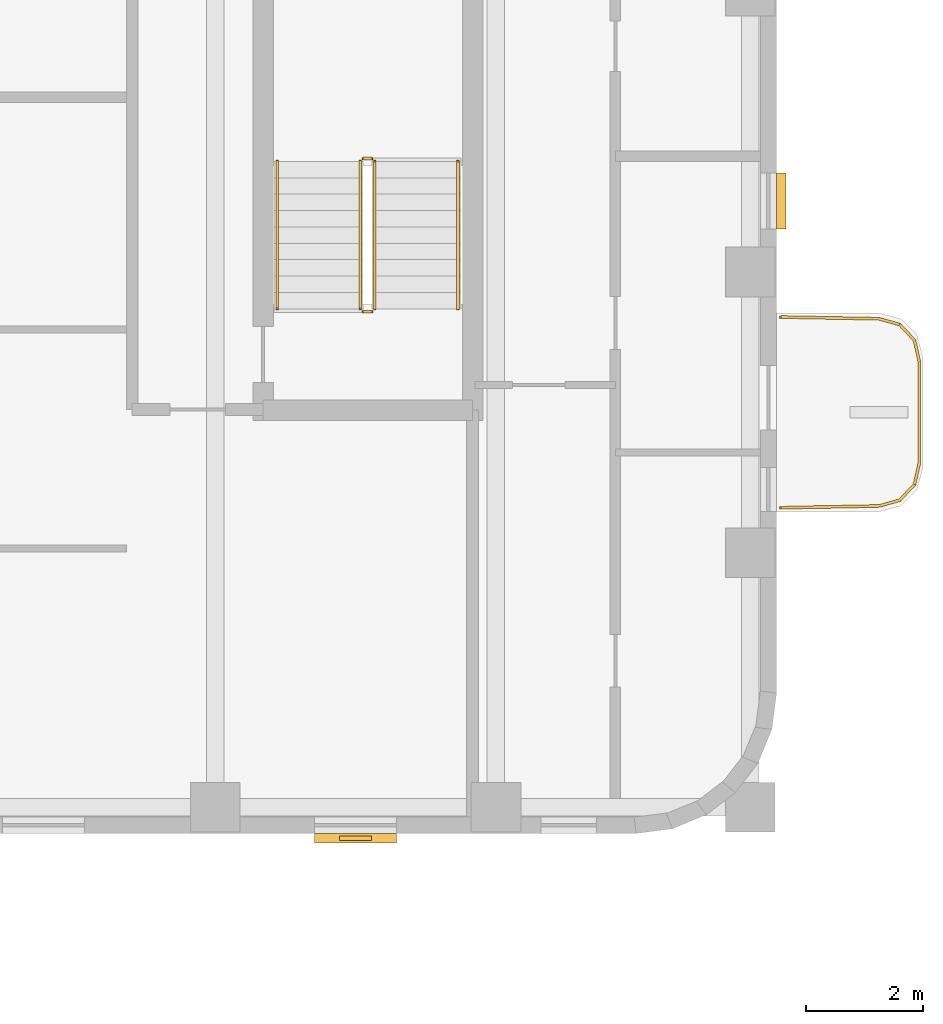
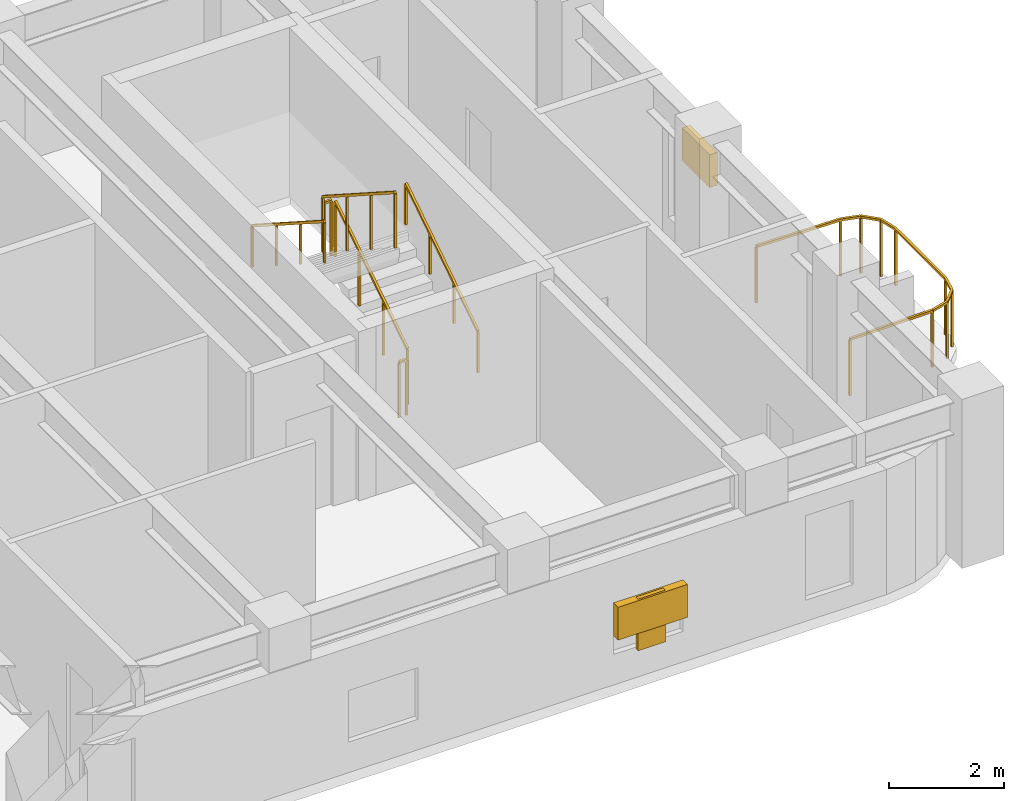
# One storey, part 9 of 10: 7 railings, 3 shading devices.
"""IFC4 building model written with IfcOpenShell, lengths in metres."""

import ifcopenshell
import ifcopenshell.guid

model = None  # the IFC model being written
_history = None  # IfcOwnerHistory: only IFC2X3 demands one
_inside = {}  # id of a spatial element -> (the spatial element, [elements in it])
_under = {}  # id of a project, library or spatial element -> (it, [spatial elements below it])
_declared = {}  # id of a project -> (the project, [libraries it declares])
_typed = {}  # id of a type object -> (the type object, [elements of that type])
_made_of = {}  # id of a material, layer set ... -> (it, [elements and type objects made of it])


def new_model(schema):
    """Start an empty IFC model of exactly this schema.

    Asked for "IFC4X3", IfcOpenShell would pick the latest addendum, in which some entities
    have other attributes; the version numbers below select the first issue.
    IFC2X3 requires an IfcOwnerHistory on every rooted entity: one is made here for all.
    """
    global model, _history
    if schema == "IFC4X3":
        model = ifcopenshell.file(schema_version=(4, 3, 0, 0))
    else:
        model = ifcopenshell.file(schema=schema)
    _inside.clear()
    _under.clear()
    _declared.clear()
    _typed.clear()
    _made_of.clear()
    _history = None
    if model.schema == "IFC2X3":
        org = make("IfcOrganization", Name="unknown")
        user = make(
            "IfcPersonAndOrganization",
            ThePerson=make("IfcPerson", FamilyName="unknown"),
            TheOrganization=org,
        )
        app = make(
            "IfcApplication",
            ApplicationDeveloper=org,
            Version="unknown",
            ApplicationFullName="unknown",
            ApplicationIdentifier="unknown",
        )
        _history = make(
            "IfcOwnerHistory",
            OwningUser=user,
            OwningApplication=app,
            ChangeAction="ADDED",
            CreationDate=0,
        )
    return model


def make(cls, **values):
    """One entity of the class cls with the attributes given. An attribute that is None is left unset."""
    return model.create_entity(
        cls, **{name: value for name, value in values.items() if value is not None}
    )


def rooted(cls, **values):
    """An entity with a GlobalId (a new one), such as an element, a storey or a relation."""
    return make(cls, GlobalId=ifcopenshell.guid.new(), OwnerHistory=_history, **values)


def si_unit(unit_type, name, prefix=None):
    """IfcSIUnit, for example si_unit("LENGTHUNIT", "METRE", prefix="MILLI")."""
    return make("IfcSIUnit", UnitType=unit_type, Prefix=prefix, Name=name)


def assignment(units):
    """IfcUnitAssignment: the units of a project."""
    return None if units is None else make("IfcUnitAssignment", Units=units)


def point(xyz):
    """IfcCartesianPoint."""
    return None if xyz is None else make("IfcCartesianPoint", Coordinates=xyz)


def direction(xyz):
    """IfcDirection."""
    return None if xyz is None else make("IfcDirection", DirectionRatios=xyz)


def frame(location, z_axis=None, x_axis=None):
    """IfcAxis2Placement3D, a coordinate frame: its origin and axes. An axis left out is left unset."""
    return make(
        "IfcAxis2Placement3D",
        Location=point(location),
        Axis=direction(z_axis),
        RefDirection=direction(x_axis),
    )


def frame_2d(location, x_axis=None):
    """IfcAxis2Placement2D, a coordinate frame in the plane: its origin and x axis."""
    return make(
        "IfcAxis2Placement2D", Location=point(location), RefDirection=direction(x_axis)
    )


def origin():
    """The frame at (0, 0, 0) with its axes left unset."""
    return frame((0.0, 0.0, 0.0))


def origin_2d():
    """The frame at (0, 0) in the plane with its x axis left unset."""
    return frame_2d((0.0, 0.0))


def place(relative_to, where):
    """IfcLocalPlacement: puts the frame where relative to a parent placement (None: the world)."""
    return make(
        "IfcLocalPlacement", PlacementRelTo=relative_to, RelativePlacement=where
    )


def context(
    kind, dimensions, precision=None, world=None, true_north=None, identifier=None
):
    """IfcGeometricRepresentationContext, for example the 3D "Model" context."""
    return make(
        "IfcGeometricRepresentationContext",
        ContextIdentifier=identifier,
        ContextType=kind,
        CoordinateSpaceDimension=dimensions,
        Precision=precision,
        WorldCoordinateSystem=world,
        TrueNorth=true_north,
    )


def subcontext(parent, identifier, kind, view, scale=None):
    """IfcGeometricRepresentationSubContext, for example "Body" below "Model"."""
    return make(
        "IfcGeometricRepresentationSubContext",
        ContextIdentifier=identifier,
        ContextType=kind,
        ParentContext=parent,
        TargetScale=scale,
        TargetView=view,
    )


def project(units=None, contexts=None):
    """IfcProject with its units and contexts."""
    return rooted(
        "IfcProject",
        Name="project",
        RepresentationContexts=contexts,
        UnitsInContext=assignment(units),
    )


def spatial(cls, under=None, at=None, **own):
    """A site, building, storey or space (cls), placed at a placement, below another one or the project."""
    s = rooted(cls, ObjectPlacement=at, **own)
    if under is not None:
        _under.setdefault(under.id(), (under, []))[1].append(s)
    return s


def profile(cls, at=None, kind="AREA", **sizes):
    """A parametric profile (cls). Its sizes go by their IFC names, for example OverallWidth=200.0."""
    return make(cls, ProfileType=kind, Position=at, **sizes)


def rectangle(**sizes):
    """IfcRectangleProfileDef."""
    return profile("IfcRectangleProfileDef", **sizes)


def extrude(swept, where, along, depth):
    """IfcExtrudedAreaSolid: the profile swept, set in the frame where, extruded along a direction by depth."""
    return make(
        "IfcExtrudedAreaSolid",
        SweptArea=swept,
        Position=where,
        ExtrudedDirection=direction(along),
        Depth=depth,
    )


def shape(context_of_items, identifier, shape_type, items):
    """IfcShapeRepresentation: the items that make up one representation, for example the "Body"."""
    return make(
        "IfcShapeRepresentation",
        ContextOfItems=context_of_items,
        RepresentationIdentifier=identifier,
        RepresentationType=shape_type,
        Items=items,
    )


def material(Name=None, Category=None):
    """IfcMaterial."""
    return make("IfcMaterial", Name=Name, Category=Category)


def made_of(thing, what):
    """Note that an element or type object is made of a material, layer set ...; save() writes the relation."""
    if what is not None:
        _made_of.setdefault(what.id(), (what, []))[1].append(thing)
    return thing


def type_object(cls, material=None, **own):
    """A type object (cls), such as IfcWallType, which elements share."""
    return made_of(rooted(cls, **own), material)


def element(
    cls,
    number,
    at=None,
    inside=None,
    cuts=None,
    type_object=None,
    material=None,
    context=None,
    identifier="Body",
    shape_type=None,
    held_by="IfcProductDefinitionShape",
    body=None,
    shapes=None,
    **own,
):
    """One element of the class cls, such as IfcWall. Its Tag is "e" and its number.

    at: its placement. inside: the storey or other place that contains it. cuts: it is an
    opening in that element (IfcRelVoidsElement). A single representation is given by context,
    identifier, shape_type and body (its items); several are given by shapes. held_by: the class
    of the entity that holds the representations. save() writes the other relations.
    """
    e = rooted(cls, Tag="e%d" % number, ObjectPlacement=at, **own)
    if body is not None:
        shapes = [shape(context, identifier, shape_type, body)]
    if shapes is not None:
        e.Representation = make(held_by, Representations=shapes)
    if inside is not None:
        _inside.setdefault(inside.id(), (inside, []))[1].append(e)
    if cuts is not None:
        rooted(
            "IfcRelVoidsElement", RelatingBuildingElement=cuts, RelatedOpeningElement=e
        )
    if type_object is not None:
        _typed.setdefault(type_object.id(), (type_object, []))[1].append(e)
    return made_of(e, material)


def aggregate(whole, parts):
    """IfcRelAggregates: a whole, such as a stair, and the parts it consists of."""
    return rooted("IfcRelAggregates", RelatingObject=whole, RelatedObjects=parts)


def save(model, path):
    """Write the relations noted so far, then the file.

    IfcRelAggregates (storeys below a building ...), IfcRelContainedInSpatialStructure (elements
    in a storey), IfcRelDefinesByType, IfcRelAssociatesMaterial and IfcRelDeclares: one each for
    every whole, place, type object, material and project.
    """
    for whole, parts in _under.values():
        aggregate(whole, parts)
    for where, things in _inside.values():
        rooted(
            "IfcRelContainedInSpatialStructure",
            RelatedElements=things,
            RelatingStructure=where,
        )
    for kind, things in _typed.values():
        rooted("IfcRelDefinesByType", RelatedObjects=things, RelatingType=kind)
    for what, things in _made_of.values():
        rooted("IfcRelAssociatesMaterial", RelatedObjects=things, RelatingMaterial=what)
    for by, libraries in _declared.values():
        rooted("IfcRelDeclares", RelatingContext=by, RelatedDefinitions=libraries)
    model.write(path)


model = new_model("IFC4")

# Units and contexts
model_context = context("Model", 3, precision=1e-05, world=origin(), true_north=direction((0.0, 1.0)))
body_context = subcontext(model_context, "Body", "Model", "MODEL_VIEW")
ifc_project = project(units=[si_unit("LENGTHUNIT", "METRE"), si_unit("AREAUNIT", "SQUARE_METRE"), si_unit("VOLUMEUNIT", "CUBIC_METRE"), si_unit("PLANEANGLEUNIT", "RADIAN"), si_unit("MASSUNIT", "GRAM", prefix="KILO")], contexts=[model_context])

# Site, building, storey
site_placement = place(None, origin())
site = spatial("IfcSite", under=ifc_project, at=site_placement, CompositionType="ELEMENT")
building_placement = place(site_placement, origin())
building = spatial("IfcBuilding", under=site, at=building_placement, Name="Orvandelia Arch Residences", CompositionType="ELEMENT")
storey_placement = place(building_placement, frame((0.0, 0.0, 232.60009765625)))
storey = spatial("IfcBuildingStorey", under=building, at=storey_placement, Name="L61", CompositionType="ELEMENT", Elevation=232.60009765625)

# Railings
ifc_material_1 = material(Name="Marine-Grade Stainless Steel 316", Category="steel")
railing_type_1 = type_object("IfcRailingType", Name="GRD-BAL-1200", PredefinedType="BALUSTRADE", material=ifc_material_1)
railing_1_placement = place(storey_placement, frame((52.871826171875, 34.36962890625, 0.0)))
element("IfcRailing", 1, at=railing_1_placement, inside=storey, type_object=railing_type_1, Name="Safety Balustrade Guard GRD-L61-BAL-L61-E1-1", PredefinedType="BALUSTRADE", context=body_context, shape_type="SweptSolid", body=[
    extrude(rectangle(XDim=0.048095703125, YDim=0.048095703125, at=origin_2d()), frame((0.0, 0.0, 1.19580078125), z_axis=(0.999837384468, 0.018033430643, 0.0), x_axis=(-0.018033430643, 0.999837384468, 0.0)), (0.0, 0.0, 1.0), 1.6787109375),
    extrude(rectangle(XDim=0.048095703125, YDim=0.048095703125, at=origin_2d()), frame((1.678466796875, 0.0302734375, 1.19580078125), z_axis=(0.96348920644, 0.267747173792, 0.0), x_axis=(-0.267747173792, 0.96348920644, 0.0)), (0.0, 0.0, 1.0), 0.36572265625),
    extrude(rectangle(XDim=0.048095703125, YDim=0.048095703125, at=origin_2d()), frame((2.03076171875, 0.128173828125, 1.19580078125), z_axis=(0.687947031175, 0.725760898848, 0.0), x_axis=(-0.725760898848, 0.687947031175, 0.0)), (0.0, 0.0, 1.0), 0.367919921875),
    extrude(rectangle(XDim=0.048095703125, YDim=0.048095703125, at=origin_2d()), frame((2.283935546875, 0.395263671875, 1.19580078125), z_axis=(0.221225034864, 0.975222786828, 0.0), x_axis=(-0.975222786828, 0.221225034864, 0.0)), (0.0, 0.0, 1.0), 0.373046875),
    extrude(rectangle(XDim=0.048095703125, YDim=0.048095703125, at=origin_2d()), frame((2.366455078125, 0.759033203125, 1.19580078125), z_axis=(0.0, 1.0, 0.0), x_axis=(-1.0, 0.0, 0.0)), (0.0, 0.0, 1.0), 1.74267578125),
    extrude(rectangle(XDim=0.048095703125, YDim=0.048095703125, at=origin_2d()), frame((2.366455078125, 2.501708984375, 1.19580078125), z_axis=(-0.221225034864, 0.975222786828, 0.0), x_axis=(-0.975222786828, -0.221225034864, 0.0)), (0.0, 0.0, 1.0), 0.373046875),
    extrude(rectangle(XDim=0.048095703125, YDim=0.048095703125, at=origin_2d()), frame((2.283935546875, 2.865478515625, 1.19580078125), z_axis=(-0.687947031175, 0.725760898848, 0.0), x_axis=(-0.725760898848, -0.687947031175, 0.0)), (0.0, 0.0, 1.0), 0.367919921875),
    extrude(rectangle(XDim=0.048095703125, YDim=0.048095703125, at=origin_2d()), frame((2.03076171875, 3.132568359375, 1.19580078125), z_axis=(-0.96348920644, 0.267747173792, 0.0), x_axis=(-0.267747173792, -0.96348920644, 0.0)), (0.0, 0.0, 1.0), 0.36572265625),
    extrude(rectangle(XDim=0.048095703125, YDim=0.048095703125, at=origin_2d()), frame((1.678466796875, 3.23046875, 1.19580078125), z_axis=(-0.999837384468, 0.018033430643, 0.0), x_axis=(-0.018033430643, -0.999837384468, 0.0)), (0.0, 0.0, 1.0), 1.6787109375),
    extrude(rectangle(XDim=0.0419921875, YDim=0.0419921875, at=origin_2d()), origin(), (0.0, 0.0, 1.0), 1.171875),
    extrude(rectangle(XDim=0.0419921875, YDim=0.0419921875, at=origin_2d()), frame((1.678466796875, 0.0302734375, 0.0)), (0.0, 0.0, 1.0), 1.171875),
    extrude(rectangle(XDim=0.0419921875, YDim=0.0419921875, at=origin_2d()), frame((2.03076171875, 0.128173828125, 0.0)), (0.0, 0.0, 1.0), 1.171875),
    extrude(rectangle(XDim=0.0419921875, YDim=0.0419921875, at=origin_2d()), frame((2.283935546875, 0.395263671875, 0.0)), (0.0, 0.0, 1.0), 1.171875),
    extrude(rectangle(XDim=0.0419921875, YDim=0.0419921875, at=origin_2d()), frame((2.366455078125, 0.759033203125, 0.0)), (0.0, 0.0, 1.0), 1.171875),
    extrude(rectangle(XDim=0.0419921875, YDim=0.0419921875, at=origin_2d()), frame((2.366455078125, 2.501708984375, 0.0)), (0.0, 0.0, 1.0), 1.171875),
    extrude(rectangle(XDim=0.0419921875, YDim=0.0419921875, at=origin_2d()), frame((2.283935546875, 2.865478515625, 0.0)), (0.0, 0.0, 1.0), 1.171875),
    extrude(rectangle(XDim=0.0419921875, YDim=0.0419921875, at=origin_2d()), frame((2.03076171875, 3.132568359375, 0.0)), (0.0, 0.0, 1.0), 1.171875),
    extrude(rectangle(XDim=0.0419921875, YDim=0.0419921875, at=origin_2d()), frame((1.678466796875, 3.23046875, 0.0)), (0.0, 0.0, 1.0), 1.171875),
    extrude(rectangle(XDim=0.0419921875, YDim=0.0419921875, at=origin_2d()), frame((0.0, 3.2607421875, 0.0)), (0.0, 0.0, 1.0), 1.171875),
])
ifc_material_2 = material(Name="Brushed Stainless Steel 304", Category="steel")
railing_type_2 = type_object("IfcRailingType", Name="RL-STAIR-GD1120", PredefinedType="GUARDRAIL", material=ifc_material_2)
railing_2_placement = place(storey_placement, frame((45.929931640625, 37.77001953125, 0.179931640625)))
element("IfcRailing", 2, at=railing_2_placement, inside=storey, type_object=railing_type_2, Name="L61 ST-3 stair guard 1", PredefinedType="GUARDRAIL", context=body_context, shape_type="SweptSolid", body=[
    extrude(rectangle(XDim=0.048095703125, YDim=0.048095703125, at=origin_2d()), frame((0.0, 0.0, 1.17578125), z_axis=(0.0, 0.841199657755, 0.540724639528), x_axis=(-1.0, 0.0, 0.0)), (0.0, 0.0, 1.0), 2.995849609375),
    extrude(rectangle(XDim=0.0419921875, YDim=0.0419921875, at=origin_2d()), origin(), (0.0, 0.0, 1.0), 1.15185546875),
    extrude(rectangle(XDim=0.0419921875, YDim=0.0419921875, at=origin_2d()), frame((0.0, 0.840087890625, 0.5400390625)), (0.0, 0.0, 1.0), 1.15185546875),
    extrude(rectangle(XDim=0.0419921875, YDim=0.0419921875, at=origin_2d()), frame((0.0, 1.679931640625, 1.079833984375)), (0.0, 0.0, 1.0), 1.15185546875),
    extrude(rectangle(XDim=0.0419921875, YDim=0.0419921875, at=origin_2d()), frame((0.0, 2.52001953125, 1.619873046875)), (0.0, 0.0, 1.0), 1.15185546875),
])
railing_3_placement = place(storey_placement, frame((45.8798828125, 40.340087890625, 1.7998046875)))
element("IfcRailing", 3, at=railing_3_placement, inside=storey, type_object=railing_type_2, Name="L61 ST-3 stair guard 2", PredefinedType="GUARDRAIL", context=body_context, shape_type="SweptSolid", body=[
    extrude(rectangle(XDim=0.048095703125, YDim=0.048095703125, at=origin_2d()), frame((0.0, 0.0, 1.17578125), z_axis=(-1.0, 0.0, 0.0), x_axis=(0.0, -1.0, 0.0)), (0.0, 0.0, 1.0), 0.14990234375),
    extrude(rectangle(XDim=0.0419921875, YDim=0.0419921875, at=origin_2d()), origin(), (0.0, 0.0, 1.0), 1.15185546875),
    extrude(rectangle(XDim=0.0419921875, YDim=0.0419921875, at=origin_2d()), frame((-0.14990234375, 0.0, 0.0)), (0.0, 0.0, 1.0), 1.15185546875),
])
railing_4_placement = place(storey_placement, frame((45.679931640625, 40.2900390625, 1.97998046875)))
element("IfcRailing", 4, at=railing_4_placement, inside=storey, type_object=railing_type_2, Name="L61 ST-3 stair guard 3", PredefinedType="GUARDRAIL", context=body_context, shape_type="SweptSolid", body=[
    extrude(rectangle(XDim=0.048095703125, YDim=0.048095703125, at=origin_2d()), frame((0.0, 0.0, 1.17578125), z_axis=(0.0, -0.841199657755, 0.540724639528), x_axis=(1.0, 0.0, 0.0)), (0.0, 0.0, 1.0), 2.995849609375),
    extrude(rectangle(XDim=0.0419921875, YDim=0.0419921875, at=origin_2d()), origin(), (0.0, 0.0, 1.0), 1.15185546875),
    extrude(rectangle(XDim=0.0419921875, YDim=0.0419921875, at=origin_2d()), frame((0.0, -0.840087890625, 0.5400390625)), (0.0, 0.0, 1.0), 1.15185546875),
    extrude(rectangle(XDim=0.0419921875, YDim=0.0419921875, at=origin_2d()), frame((0.0, -1.679931640625, 1.079833984375)), (0.0, 0.0, 1.0), 1.15185546875),
    extrude(rectangle(XDim=0.0419921875, YDim=0.0419921875, at=origin_2d()), frame((0.0, -2.52001953125, 1.619873046875)), (0.0, 0.0, 1.0), 1.15185546875),
])
railing_5_placement = place(storey_placement, frame((45.8798828125, 37.719970703125, 0.0)))
element("IfcRailing", 5, at=railing_5_placement, inside=storey, type_object=railing_type_2, Name="L61 ST-3 stair guard 4", PredefinedType="GUARDRAIL", context=body_context, shape_type="SweptSolid", body=[
    extrude(rectangle(XDim=0.048095703125, YDim=0.048095703125, at=origin_2d()), frame((0.0, 0.0, 1.17578125), z_axis=(-1.0, 0.0, 0.0), x_axis=(0.0, -1.0, 0.0)), (0.0, 0.0, 1.0), 0.14990234375),
    extrude(rectangle(XDim=0.0419921875, YDim=0.0419921875, at=origin_2d()), origin(), (0.0, 0.0, 1.0), 1.15185546875),
    extrude(rectangle(XDim=0.0419921875, YDim=0.0419921875, at=origin_2d()), frame((-0.14990234375, 0.0, 0.0)), (0.0, 0.0, 1.0), 1.15185546875),
])
railing_type_3 = type_object("IfcRailingType", Name="RL-STAIR-HR920", PredefinedType="HANDRAIL", material=ifc_material_2)
railing_6_placement = place(storey_placement, frame((47.35009765625, 37.77001953125, 0.35986328125)))
element("IfcRailing", 6, at=railing_6_placement, inside=storey, type_object=railing_type_3, Name="L61 ST-3 stair handrail 1", PredefinedType="HANDRAIL", context=body_context, shape_type="SweptSolid", body=[
    extrude(rectangle(XDim=0.048095703125, YDim=0.048095703125, at=origin_2d()), frame((0.0, 0.0, 0.8759765625), z_axis=(0.0, 0.841162588446, 0.540782303519), x_axis=(-1.0, 0.0, 0.0)), (0.0, 0.0, 1.0), 2.995849609375),
    extrude(rectangle(XDim=0.0419921875, YDim=0.0419921875, at=origin_2d()), origin(), (0.0, 0.0, 1.0), 0.851806640625),
    extrude(rectangle(XDim=0.0419921875, YDim=0.0419921875, at=origin_2d()), frame((0.0, 0.840087890625, 0.5400390625)), (0.0, 0.0, 1.0), 0.851806640625),
    extrude(rectangle(XDim=0.0419921875, YDim=0.0419921875, at=origin_2d()), frame((0.0, 1.679931640625, 1.080078125)), (0.0, 0.0, 1.0), 0.851806640625),
    extrude(rectangle(XDim=0.0419921875, YDim=0.0419921875, at=origin_2d()), frame((0.0, 2.52001953125, 1.6201171875)), (0.0, 0.0, 1.0), 0.851806640625),
])
railing_7_placement = place(storey_placement, frame((44.260009765625, 40.2900390625, 2.159912109375)))
element("IfcRailing", 7, at=railing_7_placement, inside=storey, type_object=railing_type_3, Name="L61 ST-3 stair handrail 2", PredefinedType="HANDRAIL", context=body_context, shape_type="SweptSolid", body=[
    extrude(rectangle(XDim=0.048095703125, YDim=0.048095703125, at=origin_2d()), frame((0.0, 0.0, 0.8759765625), z_axis=(0.0, -0.841199657755, 0.540724639528), x_axis=(1.0, 0.0, 0.0)), (0.0, 0.0, 1.0), 2.995849609375),
    extrude(rectangle(XDim=0.0419921875, YDim=0.0419921875, at=origin_2d()), origin(), (0.0, 0.0, 1.0), 0.851806640625),
    extrude(rectangle(XDim=0.0419921875, YDim=0.0419921875, at=origin_2d()), frame((0.0, -0.840087890625, 0.5400390625)), (0.0, 0.0, 1.0), 0.851806640625),
    extrude(rectangle(XDim=0.0419921875, YDim=0.0419921875, at=origin_2d()), frame((0.0, -1.679931640625, 1.079833984375)), (0.0, 0.0, 1.0), 0.851806640625),
    extrude(rectangle(XDim=0.0419921875, YDim=0.0419921875, at=origin_2d()), frame((0.0, -2.52001953125, 1.619873046875)), (0.0, 0.0, 1.0), 0.851806640625),
])

# Shading devices
ifc_material_3 = material(Name="Anodised Champagne-Bronze Extruded Aluminium", Category="aluminium")
shading_device_type_1 = type_object("IfcShadingDeviceType", Name="SHD-JALOUSIE-SCREEN", PredefinedType="JALOUSIE", material=ifc_material_3)
shading_device_1_placement = place(storey_placement, frame((52.8798828125, 39.614013671875, 1.5498046875), z_axis=(0.0, 0.0, 1.0), x_axis=(0.0, -1.0, 0.0)))
element("IfcShadingDevice", 8, at=shading_device_1_placement, inside=storey, type_object=shading_device_type_1, Name="Bronze Jalousie Sun-Shade L61-002", PredefinedType="JALOUSIE", context=body_context, shape_type="SweptSolid", body=[
    extrude(rectangle(XDim=0.949951171875, YDim=0.159912109375, at=origin_2d()), origin(), (0.0, 0.0, 1.0), 0.699951171875),
])
shading_device_2_placement = place(storey_placement, frame((45.60009765625, 28.719970703125, 1.0498046875), z_axis=(0.0, 0.0, 1.0), x_axis=(-1.0, 0.0, 0.0)))
element("IfcShadingDevice", 9, at=shading_device_2_placement, inside=storey, type_object=shading_device_type_1, Name="Bronze Jalousie Sun-Shade L61-003", PredefinedType="JALOUSIE", context=body_context, shape_type="SweptSolid", body=[
    extrude(rectangle(XDim=1.39990234375, YDim=0.159912109375, at=origin_2d()), origin(), (0.0, 0.0, 1.0), 0.699951171875),
])
ifc_material_4 = material(Name="Marine-Grade Perforated Aluminium Storm Shutter", Category="aluminium")
shading_device_type_2 = type_object("IfcShadingDeviceType", Name="SHD-STORM-SHUTTER", PredefinedType="SHUTTER", material=ifc_material_4)
shading_device_3_placement = place(storey_placement, frame((45.60009765625, 28.719970703125, 0.64990234375), z_axis=(0.0, 0.0, 1.0), x_axis=(-1.0, 0.0, 0.0)))
element("IfcShadingDevice", 10, at=shading_device_3_placement, inside=storey, type_object=shading_device_type_2, Name="Operable Typhoon Storm Shutter L61-003", PredefinedType="SHUTTER", context=body_context, shape_type="SweptSolid", body=[
    extrude(rectangle(XDim=0.550048828125, YDim=0.080078125, at=origin_2d()), origin(), (0.0, 0.0, 1.0), 1.10009765625),
])

save(model, "model.ifc")
